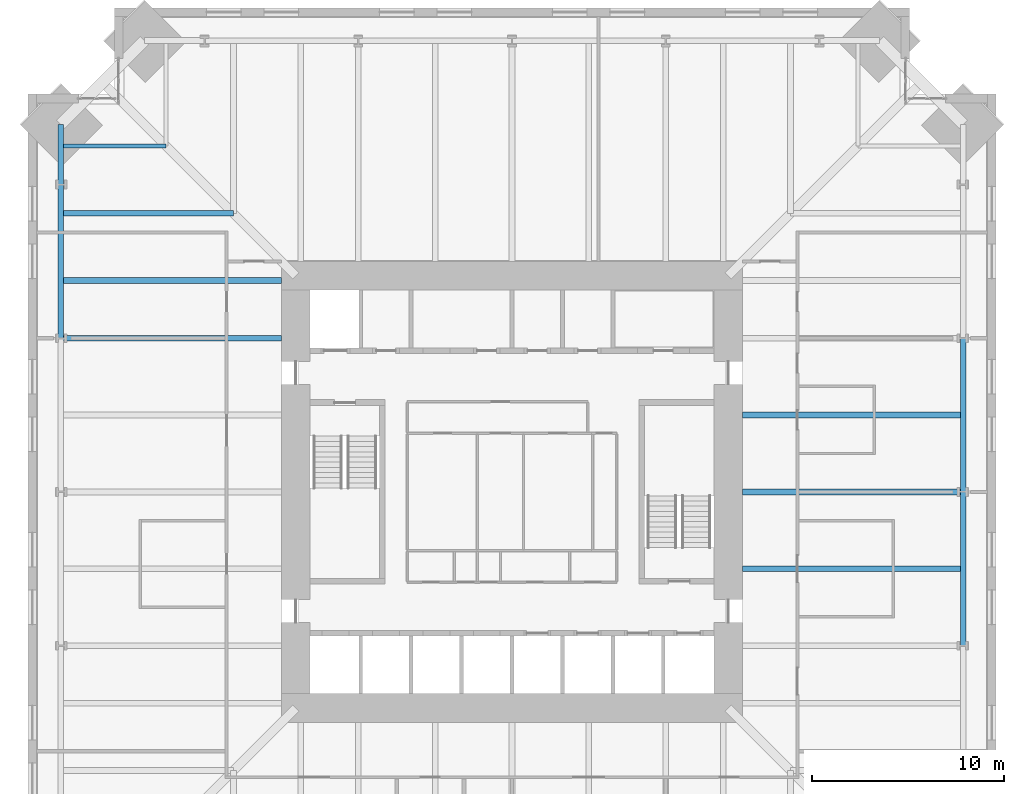
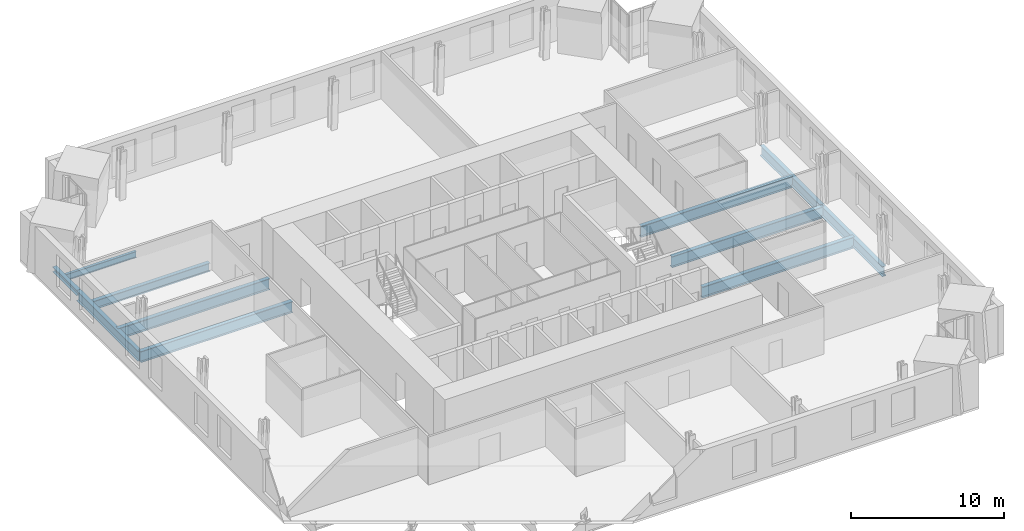
# One storey, part 5 of 15: 11 beams.
"""IFC4 building model written with IfcOpenShell, lengths in metres."""

from ifc_helpers import new_model, si_unit, direction, frame, origin, origin_2d, place, context, subcontext, project, spatial, i_section, extrude, material, material_profile, profile_set, type_object, element, save


model = new_model("IFC4")

# Units and contexts
model_context = context("Model", 3, precision=1e-05, world=origin(), true_north=direction((0.0, 1.0)))
body_context = subcontext(model_context, "Body", "Model", "MODEL_VIEW")
ifc_project = project(units=[si_unit("LENGTHUNIT", "METRE"), si_unit("AREAUNIT", "SQUARE_METRE"), si_unit("VOLUMEUNIT", "CUBIC_METRE"), si_unit("PLANEANGLEUNIT", "RADIAN"), si_unit("MASSUNIT", "GRAM", prefix="KILO")], contexts=[model_context])

# Site, building, storey
site_placement = place(None, origin())
site = spatial("IfcSite", under=ifc_project, at=site_placement, CompositionType="ELEMENT")
building_placement = place(site_placement, origin())
building = spatial("IfcBuilding", under=site, at=building_placement, Name="Peilmerk Tower", CompositionType="ELEMENT")
storey_placement = place(building_placement, frame((0.0, 0.0, 183.800048828125)))
storey = spatial("IfcBuildingStorey", under=building, at=storey_placement, Name="L39", CompositionType="ELEMENT", Elevation=183.800048828125)

# Beams
ifc_material = material(Name="Steel S355", Category="steel")
ifc_material_profile_1 = material_profile(ifc_material, i_section(OverallWidth=0.302978515625, OverallDepth=0.81396484375, WebThickness=0.02099609375, FlangeThickness=0.0400390625, at=origin_2d()), Name="HEM 800")
ifc_profile_set_1 = profile_set([ifc_material_profile_1], Name="Steel S355")
beam_type_1 = type_object("IfcBeamType", Name="B15 HEM 800 edge beam", PredefinedType="SPANDREL", material=ifc_profile_set_1)
for number, where, z_axis, x_axis, name in (
    (1, (23.485595703125, -8.0, -0.5771484375), (0.0, 1.0, 0.0), (-1.0, 0.0, 0.0), "Edge beam L39"),
    (2, (23.485595703125, 0.0, -0.5771484375), (0.0, 1.0, 0.0), (-1.0, 0.0, 0.0), "Edge beam L39"),
    (3, (-23.485595703125, 16.0, -0.5771484375), (0.0, -1.0, 0.0), (1.0, 0.0, 0.0), "Edge beam L39"),
):
    element("IfcBeam", number, at=place(storey_placement, frame(where, z_axis=z_axis, x_axis=x_axis)), inside=storey, type_object=beam_type_1, Name=name, PredefinedType="SPANDREL", context=body_context, shape_type="SweptSolid", body=[
        extrude(i_section(OverallWidth=0.302978515625, OverallDepth=0.81396484375, WebThickness=0.02099609375, FlangeThickness=0.0400390625, at=origin_2d()), origin(), (0.0, 0.0, 1.0), 8.0),
    ])
ifc_material_profile_2 = material_profile(ifc_material, i_section(OverallWidth=0.300048828125, OverallDepth=0.68994140625, WebThickness=0.014404296875, FlangeThickness=0.027099609375, at=origin_2d()), Name="HEA 700")
ifc_profile_set_2 = profile_set([ifc_material_profile_2], Name="Steel S355")
beam_type_2 = type_object("IfcBeamType", Name="B16 HEA 700 floor beam", PredefinedType="BEAM", material=ifc_profile_set_2)
beam_1_placement = place(storey_placement, frame((-14.5, 14.5, -0.51513671875), z_axis=(-1.0, 0.0, 0.0), x_axis=(0.0, -1.0, 0.0)))
element("IfcBeam", 4, at=beam_1_placement, inside=storey, type_object=beam_type_2, Name="Floor beam L39", PredefinedType="BEAM", context=body_context, shape_type="SweptSolid", body=[
    extrude(i_section(OverallWidth=0.300048828125, OverallDepth=0.68994140625, WebThickness=0.014404296875, FlangeThickness=0.027099609375, at=origin_2d()), origin(), (0.0, 0.0, 1.0), 8.985595703125),
])
ifc_material_profile_3 = material_profile(ifc_material, i_section(OverallWidth=0.199951171875, OverallDepth=0.5, WebThickness=0.01025390625, FlangeThickness=0.01611328125, at=origin_2d()), Name="IPE 500")
ifc_profile_set_3 = profile_set([ifc_material_profile_3], Name="Steel S355")
beam_type_3 = type_object("IfcBeamType", Name="B32 IPE 500 floor beam", PredefinedType="BEAM", material=ifc_profile_set_3)
beam_2_placement = place(storey_placement, frame((-18.0, 18.0, -0.420166015625), z_axis=(-1.0, 0.0, 0.0), x_axis=(0.0, -1.0, 0.0)))
element("IfcBeam", 5, at=beam_2_placement, inside=storey, type_object=beam_type_3, Name="Floor beam L39", PredefinedType="BEAM", context=body_context, shape_type="SweptSolid", body=[
    extrude(i_section(OverallWidth=0.199951171875, OverallDepth=0.5, WebThickness=0.01025390625, FlangeThickness=0.01611328125, at=origin_2d()), origin(), (0.0, 0.0, 1.0), 5.485595703125),
])
ifc_material_profile_4 = material_profile(ifc_material, i_section(OverallWidth=0.306884765625, OverallDepth=0.431884765625, WebThickness=0.02099609375, FlangeThickness=0.0400390625, at=origin_2d()), Name="HEM 400")
ifc_profile_set_4 = profile_set([ifc_material_profile_4], Name="Steel S355")
beam_type_4 = type_object("IfcBeamType", Name="B34 HEM 400 edge beam", PredefinedType="SPANDREL", material=ifc_profile_set_4)
beam_3_placement = place(storey_placement, frame((-23.485595703125, 19.135498046875, -0.385986328125), z_axis=(0.0, -1.0, 0.0), x_axis=(1.0, 0.0, 0.0)))
element("IfcBeam", 6, at=beam_3_placement, inside=storey, type_object=beam_type_4, Name="Edge beam L39", PredefinedType="SPANDREL", context=body_context, shape_type="SweptSolid", body=[
    extrude(i_section(OverallWidth=0.306884765625, OverallDepth=0.431884765625, WebThickness=0.02099609375, FlangeThickness=0.0400390625, at=origin_2d()), origin(), (0.0, 0.0, 1.0), 3.135498046875),
])
ifc_material_profile_5 = material_profile(ifc_material, i_section(OverallWidth=0.300048828125, OverallDepth=0.889892578125, WebThickness=0.01611328125, FlangeThickness=0.030029296875, at=origin_2d()), Name="HEA 900")
ifc_profile_set_5 = profile_set([ifc_material_profile_5], Name="Steel S355")
beam_type_5 = type_object("IfcBeamType", Name="B4 HEA 900 floor beam", PredefinedType="BEAM", material=ifc_profile_set_5)
for number, where, z_axis, x_axis, name in (
    (7, (12.0, -4.0, -0.614990234375), (1.0, 0.0, 0.0), (0.0, 1.0, 0.0), "Floor beam L39"),
    (8, (12.0, 0.0, -0.614990234375), (1.0, 0.0, 0.0), (0.0, 1.0, 0.0), "Floor beam L39"),
    (9, (12.0, 4.0, -0.614990234375), (1.0, 0.0, 0.0), (0.0, 1.0, 0.0), "Floor beam L39"),
    (10, (-12.0, 11.0, -0.614990234375), (-1.0, 0.0, 0.0), (0.0, -1.0, 0.0), "Floor beam L39"),
    (11, (-12.0, 8.0, -0.614990234375), (-1.0, 0.0, 0.0), (0.0, -1.0, 0.0), "Floor beam L39"),
):
    element("IfcBeam", number, at=place(storey_placement, frame(where, z_axis=z_axis, x_axis=x_axis)), inside=storey, type_object=beam_type_5, Name=name, PredefinedType="BEAM", context=body_context, shape_type="SweptSolid", body=[
        extrude(i_section(OverallWidth=0.300048828125, OverallDepth=0.889892578125, WebThickness=0.01611328125, FlangeThickness=0.030029296875, at=origin_2d()), origin(), (0.0, 0.0, 1.0), 11.485595703125),
    ])

save(model, "model.ifc")
